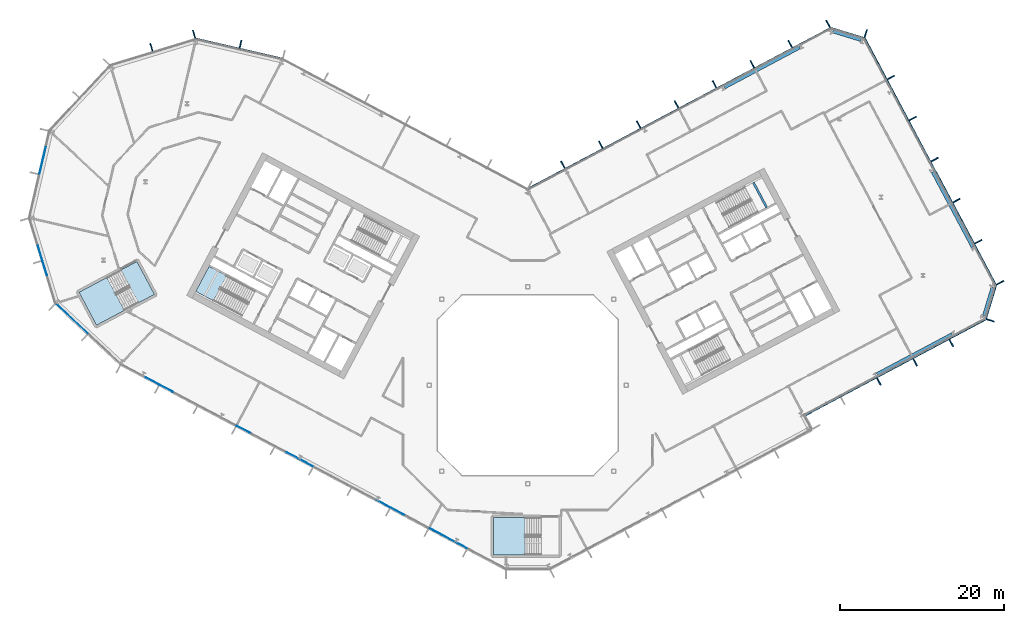
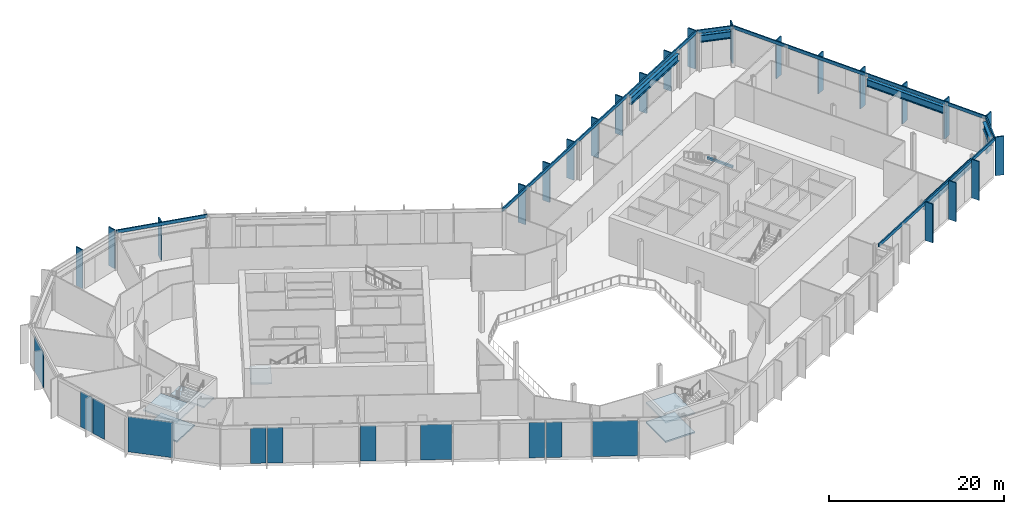
# One storey, part 10 of 31: 28 members, 11 plates, 6 beams, 6 slabs, 14 elements without a shape of their own.
"""IFC4 building model written with IfcOpenShell, lengths in metres."""

import ifcopenshell
import ifcopenshell.guid

model = None  # the IFC model being written
_history = None  # IfcOwnerHistory: only IFC2X3 demands one
_inside = {}  # id of a spatial element -> (the spatial element, [elements in it])
_under = {}  # id of a project, library or spatial element -> (it, [spatial elements below it])
_declared = {}  # id of a project -> (the project, [libraries it declares])
_typed = {}  # id of a type object -> (the type object, [elements of that type])
_made_of = {}  # id of a material, layer set ... -> (it, [elements and type objects made of it])


def new_model(schema):
    """Start an empty IFC model of exactly this schema.

    Asked for "IFC4X3", IfcOpenShell would pick the latest addendum, in which some entities
    have other attributes; the version numbers below select the first issue.
    IFC2X3 requires an IfcOwnerHistory on every rooted entity: one is made here for all.
    """
    global model, _history
    if schema == "IFC4X3":
        model = ifcopenshell.file(schema_version=(4, 3, 0, 0))
    else:
        model = ifcopenshell.file(schema=schema)
    _inside.clear()
    _under.clear()
    _declared.clear()
    _typed.clear()
    _made_of.clear()
    _history = None
    if model.schema == "IFC2X3":
        org = make("IfcOrganization", Name="unknown")
        user = make(
            "IfcPersonAndOrganization",
            ThePerson=make("IfcPerson", FamilyName="unknown"),
            TheOrganization=org,
        )
        app = make(
            "IfcApplication",
            ApplicationDeveloper=org,
            Version="unknown",
            ApplicationFullName="unknown",
            ApplicationIdentifier="unknown",
        )
        _history = make(
            "IfcOwnerHistory",
            OwningUser=user,
            OwningApplication=app,
            ChangeAction="ADDED",
            CreationDate=0,
        )
    return model


def make(cls, **values):
    """One entity of the class cls with the attributes given. An attribute that is None is left unset."""
    return model.create_entity(
        cls, **{name: value for name, value in values.items() if value is not None}
    )


def rooted(cls, **values):
    """An entity with a GlobalId (a new one), such as an element, a storey or a relation."""
    return make(cls, GlobalId=ifcopenshell.guid.new(), OwnerHistory=_history, **values)


def si_unit(unit_type, name, prefix=None):
    """IfcSIUnit, for example si_unit("LENGTHUNIT", "METRE", prefix="MILLI")."""
    return make("IfcSIUnit", UnitType=unit_type, Prefix=prefix, Name=name)


def assignment(units):
    """IfcUnitAssignment: the units of a project."""
    return None if units is None else make("IfcUnitAssignment", Units=units)


def point(xyz):
    """IfcCartesianPoint."""
    return None if xyz is None else make("IfcCartesianPoint", Coordinates=xyz)


def direction(xyz):
    """IfcDirection."""
    return None if xyz is None else make("IfcDirection", DirectionRatios=xyz)


def frame(location, z_axis=None, x_axis=None):
    """IfcAxis2Placement3D, a coordinate frame: its origin and axes. An axis left out is left unset."""
    return make(
        "IfcAxis2Placement3D",
        Location=point(location),
        Axis=direction(z_axis),
        RefDirection=direction(x_axis),
    )


def frame_2d(location, x_axis=None):
    """IfcAxis2Placement2D, a coordinate frame in the plane: its origin and x axis."""
    return make(
        "IfcAxis2Placement2D", Location=point(location), RefDirection=direction(x_axis)
    )


def origin():
    """The frame at (0, 0, 0) with its axes left unset."""
    return frame((0.0, 0.0, 0.0))


def origin_2d():
    """The frame at (0, 0) in the plane with its x axis left unset."""
    return frame_2d((0.0, 0.0))


def place(relative_to, where):
    """IfcLocalPlacement: puts the frame where relative to a parent placement (None: the world)."""
    return make(
        "IfcLocalPlacement", PlacementRelTo=relative_to, RelativePlacement=where
    )


def context(
    kind, dimensions, precision=None, world=None, true_north=None, identifier=None
):
    """IfcGeometricRepresentationContext, for example the 3D "Model" context."""
    return make(
        "IfcGeometricRepresentationContext",
        ContextIdentifier=identifier,
        ContextType=kind,
        CoordinateSpaceDimension=dimensions,
        Precision=precision,
        WorldCoordinateSystem=world,
        TrueNorth=true_north,
    )


def subcontext(parent, identifier, kind, view, scale=None):
    """IfcGeometricRepresentationSubContext, for example "Body" below "Model"."""
    return make(
        "IfcGeometricRepresentationSubContext",
        ContextIdentifier=identifier,
        ContextType=kind,
        ParentContext=parent,
        TargetScale=scale,
        TargetView=view,
    )


def project(units=None, contexts=None):
    """IfcProject with its units and contexts."""
    return rooted(
        "IfcProject",
        Name="project",
        RepresentationContexts=contexts,
        UnitsInContext=assignment(units),
    )


def spatial(cls, under=None, at=None, **own):
    """A site, building, storey or space (cls), placed at a placement, below another one or the project."""
    s = rooted(cls, ObjectPlacement=at, **own)
    if under is not None:
        _under.setdefault(under.id(), (under, []))[1].append(s)
    return s


def polyline(points):
    """IfcPolyline through the points."""
    return make("IfcPolyline", Points=[point(p) for p in points])


def profile(cls, at=None, kind="AREA", **sizes):
    """A parametric profile (cls). Its sizes go by their IFC names, for example OverallWidth=200.0."""
    return make(cls, ProfileType=kind, Position=at, **sizes)


def rectangle(**sizes):
    """IfcRectangleProfileDef."""
    return profile("IfcRectangleProfileDef", **sizes)


def i_section(**sizes):
    """IfcIShapeProfileDef."""
    return profile("IfcIShapeProfileDef", **sizes)


def outline(outer, holes=None, kind="AREA"):
    """IfcArbitraryClosedProfileDef: a profile drawn as a closed curve; with holes, ...WithVoids."""
    if holes is None:
        return make("IfcArbitraryClosedProfileDef", ProfileType=kind, OuterCurve=outer)
    return make(
        "IfcArbitraryProfileDefWithVoids",
        ProfileType=kind,
        OuterCurve=outer,
        InnerCurves=holes,
    )


def extrude(swept, where, along, depth):
    """IfcExtrudedAreaSolid: the profile swept, set in the frame where, extruded along a direction by depth."""
    return make(
        "IfcExtrudedAreaSolid",
        SweptArea=swept,
        Position=where,
        ExtrudedDirection=direction(along),
        Depth=depth,
    )


def shape(context_of_items, identifier, shape_type, items):
    """IfcShapeRepresentation: the items that make up one representation, for example the "Body"."""
    return make(
        "IfcShapeRepresentation",
        ContextOfItems=context_of_items,
        RepresentationIdentifier=identifier,
        RepresentationType=shape_type,
        Items=items,
    )


def material(Name=None, Category=None):
    """IfcMaterial."""
    return make("IfcMaterial", Name=Name, Category=Category)


def layer(
    of_material, thickness, ventilated=None, Name=None, Category=None, Priority=None
):
    """IfcMaterialLayer: one layer of a wall or slab, of a material (None: an air gap)."""
    return make(
        "IfcMaterialLayer",
        Material=of_material,
        LayerThickness=thickness,
        IsVentilated=ventilated,
        Name=Name,
        Category=Category,
        Priority=Priority,
    )


def layer_set(layers, Name=None):
    """IfcMaterialLayerSet."""
    return make("IfcMaterialLayerSet", MaterialLayers=layers, LayerSetName=Name)


def material_profile(
    of_material, cross_section, Name=None, Category=None, Priority=None
):
    """IfcMaterialProfile: a cross section and its material."""
    return make(
        "IfcMaterialProfile",
        Name=Name,
        Material=of_material,
        Profile=cross_section,
        Priority=Priority,
        Category=Category,
    )


def profile_set(profiles, Name=None, composite=None):
    """IfcMaterialProfileSet."""
    return make(
        "IfcMaterialProfileSet",
        Name=Name,
        MaterialProfiles=profiles,
        CompositeProfile=composite,
    )


def made_of(thing, what):
    """Note that an element or type object is made of a material, layer set ...; save() writes the relation."""
    if what is not None:
        _made_of.setdefault(what.id(), (what, []))[1].append(thing)
    return thing


def type_object(cls, material=None, **own):
    """A type object (cls), such as IfcWallType, which elements share."""
    return made_of(rooted(cls, **own), material)


def element(
    cls,
    number,
    at=None,
    inside=None,
    cuts=None,
    type_object=None,
    material=None,
    context=None,
    identifier="Body",
    shape_type=None,
    held_by="IfcProductDefinitionShape",
    body=None,
    shapes=None,
    **own,
):
    """One element of the class cls, such as IfcWall. Its Tag is "e" and its number.

    at: its placement. inside: the storey or other place that contains it. cuts: it is an
    opening in that element (IfcRelVoidsElement). A single representation is given by context,
    identifier, shape_type and body (its items); several are given by shapes. held_by: the class
    of the entity that holds the representations. save() writes the other relations.
    """
    e = rooted(cls, Tag="e%d" % number, ObjectPlacement=at, **own)
    if body is not None:
        shapes = [shape(context, identifier, shape_type, body)]
    if shapes is not None:
        e.Representation = make(held_by, Representations=shapes)
    if inside is not None:
        _inside.setdefault(inside.id(), (inside, []))[1].append(e)
    if cuts is not None:
        rooted(
            "IfcRelVoidsElement", RelatingBuildingElement=cuts, RelatedOpeningElement=e
        )
    if type_object is not None:
        _typed.setdefault(type_object.id(), (type_object, []))[1].append(e)
    return made_of(e, material)


def aggregate(whole, parts):
    """IfcRelAggregates: a whole, such as a stair, and the parts it consists of."""
    return rooted("IfcRelAggregates", RelatingObject=whole, RelatedObjects=parts)


def save(model, path):
    """Write the relations noted so far, then the file.

    IfcRelAggregates (storeys below a building ...), IfcRelContainedInSpatialStructure (elements
    in a storey), IfcRelDefinesByType, IfcRelAssociatesMaterial and IfcRelDeclares: one each for
    every whole, place, type object, material and project.
    """
    for whole, parts in _under.values():
        aggregate(whole, parts)
    for where, things in _inside.values():
        rooted(
            "IfcRelContainedInSpatialStructure",
            RelatedElements=things,
            RelatingStructure=where,
        )
    for kind, things in _typed.values():
        rooted("IfcRelDefinesByType", RelatedObjects=things, RelatingType=kind)
    for what, things in _made_of.values():
        rooted("IfcRelAssociatesMaterial", RelatedObjects=things, RelatingMaterial=what)
    for by, libraries in _declared.values():
        rooted("IfcRelDeclares", RelatingContext=by, RelatedDefinitions=libraries)
    model.write(path)


model = new_model("IFC4")

# Units and contexts
model_context = context("Model", 3, precision=1e-05, world=origin(), true_north=direction((0.0, 1.0)))
body_context = subcontext(model_context, "Body", "Model", "MODEL_VIEW")
ifc_project = project(units=[si_unit("LENGTHUNIT", "METRE"), si_unit("AREAUNIT", "SQUARE_METRE"), si_unit("VOLUMEUNIT", "CUBIC_METRE"), si_unit("PLANEANGLEUNIT", "RADIAN"), si_unit("MASSUNIT", "GRAM", prefix="KILO")], contexts=[model_context])

# Site, building, storey
site_placement = place(None, origin())
site = spatial("IfcSite", under=ifc_project, at=site_placement, CompositionType="ELEMENT")
building_placement = place(site_placement, origin())
building = spatial("IfcBuilding", under=site, at=building_placement, Name="Cormorant Relay Tower", CompositionType="ELEMENT")
storey_placement = place(building_placement, frame((0.0, 0.0, 178.199951171875)))
storey = spatial("IfcBuildingStorey", under=building, at=storey_placement, Name="L38", CompositionType="ELEMENT", Elevation=178.199951171875)

# Curtain wall, members
ifc_material_1 = material(Name="Aluminium 6063-T6 anodised bronze", Category="aluminium")
ifc_layer_1 = layer(ifc_material_1, 0.199951171875)
ifc_layer_set_1 = layer_set([ifc_layer_1], Name="CW1 unitised bronze curtain wall with vertical fins")
curtain_wall_type = type_object("IfcCurtainWallType", Name="CW1 unitised bronze curtain wall with vertical fins", PredefinedType="NOTDEFINED", material=ifc_layer_set_1)
curtain_wall_1_placement = place(storey_placement, origin())
curtain_wall_1 = element("IfcCurtainWall", 1, at=curtain_wall_1_placement, inside=storey, type_object=curtain_wall_type, Name="CW1 curtain wall 4", PredefinedType="NOTDEFINED")
ifc_material_2 = material(Name="Aluminium 6063-T6 anodised bronze", Category="aluminium")
ifc_material_profile_1 = material_profile(ifc_material_2, rectangle(XDim=0.14990234375, YDim=1.0, at=origin_2d()), Name="AL 150x1000")
ifc_profile_set_1 = profile_set([ifc_material_profile_1], Name="Aluminium 6063-T6 anodised bronze")
member_type_1 = type_object("IfcMemberType", Name="CW1 bronze fin mullion 150 x 1000", PredefinedType="MULLION", material=ifc_profile_set_1)
member_1_placement = place(storey_placement, frame((42.800537109375, 0.44580078125, 0.0), z_axis=(0.0, 0.0, 1.0), x_axis=(0.882947592859, 0.469471562786, 0.0)))
member_1 = element("IfcMember", 2, at=member_1_placement, type_object=member_type_1, Name="CW1 fin 4.3", PredefinedType="MULLION", context=body_context, shape_type="SweptSolid", body=[
    extrude(rectangle(XDim=0.14990234375, YDim=1.0, at=origin_2d()), origin(), (0.0, 0.0, 1.0), 5.400146484375),
])
member_2_placement = place(storey_placement, frame((47.21533203125, 2.793212890625, 0.0), z_axis=(0.0, 0.0, 1.0), x_axis=(0.882947592859, 0.469471562786, 0.0)))
member_2 = element("IfcMember", 3, at=member_2_placement, type_object=member_type_1, Name="CW1 fin 4.4", PredefinedType="MULLION", context=body_context, shape_type="SweptSolid", body=[
    extrude(rectangle(XDim=0.14990234375, YDim=1.0, at=origin_2d()), origin(), (0.0, 0.0, 1.0), 5.400146484375),
])
member_3_placement = place(storey_placement, frame((51.630126953125, 5.140625, 0.0), z_axis=(0.0, 0.0, 1.0), x_axis=(0.882947592859, 0.469471562786, 0.0)))
member_3 = element("IfcMember", 4, at=member_3_placement, type_object=member_type_1, Name="CW1 fin 4.5", PredefinedType="MULLION", context=body_context, shape_type="SweptSolid", body=[
    extrude(rectangle(XDim=0.14990234375, YDim=1.0, at=origin_2d()), origin(), (0.0, 0.0, 1.0), 5.400146484375),
])

# Curtain wall, member
curtain_wall_2_placement = place(storey_placement, origin())
curtain_wall_2 = element("IfcCurtainWall", 5, at=curtain_wall_2_placement, inside=storey, type_object=curtain_wall_type, Name="CW1 curtain wall 5", PredefinedType="NOTDEFINED")
member_4_placement = place(storey_placement, frame((56.385498046875, 7.9013671875, 0.0), z_axis=(0.0, 0.0, 1.0), x_axis=(0.292371704723, 0.956304755963, 0.0)))
member_4 = element("IfcMember", 6, at=member_4_placement, type_object=member_type_1, Name="CW1 fin 5.1", PredefinedType="MULLION", context=body_context, shape_type="SweptSolid", body=[
    extrude(rectangle(XDim=0.14990234375, YDim=1.0, at=origin_2d()), origin(), (0.0, 0.0, 1.0), 5.400146484375),
])

# Curtain wall, members
curtain_wall_3_placement = place(storey_placement, origin())
curtain_wall_3 = element("IfcCurtainWall", 7, at=curtain_wall_3_placement, inside=storey, type_object=curtain_wall_type, Name="CW1 curtain wall 6", PredefinedType="NOTDEFINED")
member_5_placement = place(storey_placement, frame((57.57470703125, 12.491943359375, 0.0), z_axis=(0.0, 0.0, 1.0), x_axis=(-0.469471562786, 0.882947592859, 0.0)))
member_5 = element("IfcMember", 8, at=member_5_placement, type_object=member_type_1, Name="CW1 fin 6.1", PredefinedType="MULLION", context=body_context, shape_type="SweptSolid", body=[
    extrude(rectangle(XDim=0.14990234375, YDim=1.0, at=origin_2d()), origin(), (0.0, 0.0, 1.0), 5.400146484375),
])
member_6_placement = place(storey_placement, frame((54.914306640625, 17.4951171875, 0.0), z_axis=(0.0, 0.0, 1.0), x_axis=(-0.469471562786, 0.882947592859, 0.0)))
member_6 = element("IfcMember", 9, at=member_6_placement, type_object=member_type_1, Name="CW1 fin 6.2", PredefinedType="MULLION", context=body_context, shape_type="SweptSolid", body=[
    extrude(rectangle(XDim=0.14990234375, YDim=1.0, at=origin_2d()), origin(), (0.0, 0.0, 1.0), 5.400146484375),
])
member_7_placement = place(storey_placement, frame((52.25390625, 22.49853515625, 0.0), z_axis=(0.0, 0.0, 1.0), x_axis=(-0.469471562786, 0.882947592859, 0.0)))
member_7 = element("IfcMember", 10, at=member_7_placement, type_object=member_type_1, Name="CW1 fin 6.3", PredefinedType="MULLION", context=body_context, shape_type="SweptSolid", body=[
    extrude(rectangle(XDim=0.14990234375, YDim=1.0, at=origin_2d()), origin(), (0.0, 0.0, 1.0), 5.400146484375),
])
member_8_placement = place(storey_placement, frame((49.59375, 27.501953125, 0.0), z_axis=(0.0, 0.0, 1.0), x_axis=(-0.469471562786, 0.882947592859, 0.0)))
member_8 = element("IfcMember", 11, at=member_8_placement, type_object=member_type_1, Name="CW1 fin 6.4", PredefinedType="MULLION", context=body_context, shape_type="SweptSolid", body=[
    extrude(rectangle(XDim=0.14990234375, YDim=1.0, at=origin_2d()), origin(), (0.0, 0.0, 1.0), 5.400146484375),
])
member_9_placement = place(storey_placement, frame((46.933349609375, 32.50537109375, 0.0), z_axis=(0.0, 0.0, 1.0), x_axis=(-0.469471562786, 0.882947592859, 0.0)))
member_9 = element("IfcMember", 12, at=member_9_placement, type_object=member_type_1, Name="CW1 fin 6.5", PredefinedType="MULLION", context=body_context, shape_type="SweptSolid", body=[
    extrude(rectangle(XDim=0.14990234375, YDim=1.0, at=origin_2d()), origin(), (0.0, 0.0, 1.0), 5.400146484375),
])
member_10_placement = place(storey_placement, frame((44.27294921875, 37.5087890625, 0.0), z_axis=(0.0, 0.0, 1.0), x_axis=(-0.469471562786, 0.882947592859, 0.0)))
member_10 = element("IfcMember", 13, at=member_10_placement, type_object=member_type_1, Name="CW1 fin 6.6", PredefinedType="MULLION", context=body_context, shape_type="SweptSolid", body=[
    extrude(rectangle(XDim=0.14990234375, YDim=1.0, at=origin_2d()), origin(), (0.0, 0.0, 1.0), 5.400146484375),
])

# Curtain wall, member
curtain_wall_4_placement = place(storey_placement, origin())
curtain_wall_4 = element("IfcCurtainWall", 14, at=curtain_wall_4_placement, inside=storey, type_object=curtain_wall_type, Name="CW1 curtain wall 7", PredefinedType="NOTDEFINED")
member_11_placement = place(storey_placement, frame((41.19921875, 42.852783203125, 0.0), z_axis=(0.0, 0.0, 1.0), x_axis=(-0.956304755963, 0.292371704723, 0.0)))
member_11 = element("IfcMember", 15, at=member_11_placement, type_object=member_type_1, Name="CW1 fin 7.1", PredefinedType="MULLION", context=body_context, shape_type="SweptSolid", body=[
    extrude(rectangle(XDim=0.14990234375, YDim=1.0, at=origin_2d()), origin(), (0.0, 0.0, 1.0), 5.400146484375),
])

# Curtain wall, members
curtain_wall_5_placement = place(storey_placement, origin())
curtain_wall_5 = element("IfcCurtainWall", 16, at=curtain_wall_5_placement, inside=storey, type_object=curtain_wall_type, Name="CW1 curtain wall 8", PredefinedType="NOTDEFINED")
member_12_placement = place(storey_placement, frame((36.608642578125, 44.0419921875, 0.0), z_axis=(0.0, 0.0, 1.0), x_axis=(-0.882947592859, -0.469471562786, 0.0)))
member_12 = element("IfcMember", 17, at=member_12_placement, type_object=member_type_1, Name="CW1 fin 8.1", PredefinedType="MULLION", context=body_context, shape_type="SweptSolid", body=[
    extrude(rectangle(XDim=0.14990234375, YDim=1.0, at=origin_2d()), origin(), (0.0, 0.0, 1.0), 5.400146484375),
])
member_13_placement = place(storey_placement, frame((31.991455078125, 41.5869140625, 0.0), z_axis=(0.0, 0.0, 1.0), x_axis=(-0.882947592859, -0.469471562786, 0.0)))
member_13 = element("IfcMember", 18, at=member_13_placement, type_object=member_type_1, Name="CW1 fin 8.2", PredefinedType="MULLION", context=body_context, shape_type="SweptSolid", body=[
    extrude(rectangle(XDim=0.14990234375, YDim=1.0, at=origin_2d()), origin(), (0.0, 0.0, 1.0), 5.400146484375),
])
member_14_placement = place(storey_placement, frame((27.37451171875, 39.132080078125, 0.0), z_axis=(0.0, 0.0, 1.0), x_axis=(-0.882947592859, -0.469471562786, 0.0)))
member_14 = element("IfcMember", 19, at=member_14_placement, type_object=member_type_1, Name="CW1 fin 8.3", PredefinedType="MULLION", context=body_context, shape_type="SweptSolid", body=[
    extrude(rectangle(XDim=0.14990234375, YDim=1.0, at=origin_2d()), origin(), (0.0, 0.0, 1.0), 5.400146484375),
])
member_15_placement = place(storey_placement, frame((22.757080078125, 36.677001953125, 0.0), z_axis=(0.0, 0.0, 1.0), x_axis=(-0.882947592859, -0.469471562786, 0.0)))
member_15 = element("IfcMember", 20, at=member_15_placement, type_object=member_type_1, Name="CW1 fin 8.4", PredefinedType="MULLION", context=body_context, shape_type="SweptSolid", body=[
    extrude(rectangle(XDim=0.14990234375, YDim=1.0, at=origin_2d()), origin(), (0.0, 0.0, 1.0), 5.400146484375),
])
member_16_placement = place(storey_placement, frame((18.139892578125, 34.221923828125, 0.0), z_axis=(0.0, 0.0, 1.0), x_axis=(-0.882947592859, -0.469471562786, 0.0)))
member_16 = element("IfcMember", 21, at=member_16_placement, type_object=member_type_1, Name="CW1 fin 8.5", PredefinedType="MULLION", context=body_context, shape_type="SweptSolid", body=[
    extrude(rectangle(XDim=0.14990234375, YDim=1.0, at=origin_2d()), origin(), (0.0, 0.0, 1.0), 5.400146484375),
])
member_17_placement = place(storey_placement, frame((13.52294921875, 31.76708984375, 0.0), z_axis=(0.0, 0.0, 1.0), x_axis=(-0.882947592859, -0.469471562786, 0.0)))
member_17 = element("IfcMember", 22, at=member_17_placement, type_object=member_type_1, Name="CW1 fin 8.6", PredefinedType="MULLION", context=body_context, shape_type="SweptSolid", body=[
    extrude(rectangle(XDim=0.14990234375, YDim=1.0, at=origin_2d()), origin(), (0.0, 0.0, 1.0), 5.400146484375),
])
member_18_placement = place(storey_placement, frame((8.90576171875, 29.31201171875, 0.0), z_axis=(0.0, 0.0, 1.0), x_axis=(-0.882947592859, -0.469471562786, 0.0)))
member_18 = element("IfcMember", 23, at=member_18_placement, type_object=member_type_1, Name="CW1 fin 8.7", PredefinedType="MULLION", context=body_context, shape_type="SweptSolid", body=[
    extrude(rectangle(XDim=0.14990234375, YDim=1.0, at=origin_2d()), origin(), (0.0, 0.0, 1.0), 5.400146484375),
])
member_19_placement = place(storey_placement, frame((4.28857421875, 26.85693359375, 0.0), z_axis=(0.0, 0.0, 1.0), x_axis=(-0.882947592859, -0.469471562786, 0.0)))
member_19 = element("IfcMember", 24, at=member_19_placement, type_object=member_type_1, Name="CW1 fin 8.8", PredefinedType="MULLION", context=body_context, shape_type="SweptSolid", body=[
    extrude(rectangle(XDim=0.14990234375, YDim=1.0, at=origin_2d()), origin(), (0.0, 0.0, 1.0), 5.400146484375),
])

# Curtain wall, member
curtain_wall_6_placement = place(storey_placement, origin())
curtain_wall_6 = element("IfcCurtainWall", 25, at=curtain_wall_6_placement, inside=storey, type_object=curtain_wall_type, Name="CW1 curtain wall 10", PredefinedType="NOTDEFINED")
member_20_placement = place(storey_placement, frame((-35.01220703125, 41.57275390625, 0.0), z_axis=(0.0, 0.0, 1.0), x_axis=(-0.974370064785, 0.224951054344, 0.0)))
member_20 = element("IfcMember", 26, at=member_20_placement, type_object=member_type_1, Name="CW1 fin 10.2", PredefinedType="MULLION", context=body_context, shape_type="SweptSolid", body=[
    extrude(rectangle(XDim=0.14990234375, YDim=1.0, at=origin_2d()), origin(), (0.0, 0.0, 1.0), 5.400146484375),
])

# Curtain wall, members
curtain_wall_7_placement = place(storey_placement, origin())
curtain_wall_7 = element("IfcCurtainWall", 27, at=curtain_wall_7_placement, inside=storey, type_object=curtain_wall_type, Name="CW1 curtain wall 11", PredefinedType="NOTDEFINED")
member_21_placement = place(storey_placement, frame((-40.670166015625, 42.78271484375, 0.0), z_axis=(0.0, 0.0, 1.0), x_axis=(-0.956304755963, -0.292371704723, 0.0)))
member_21 = element("IfcMember", 28, at=member_21_placement, type_object=member_type_1, Name="CW1 fin 11.1", PredefinedType="MULLION", context=body_context, shape_type="SweptSolid", body=[
    extrude(rectangle(XDim=0.14990234375, YDim=1.0, at=origin_2d()), origin(), (0.0, 0.0, 1.0), 5.400146484375),
])
member_22_placement = place(storey_placement, frame((-45.867919921875, 41.193603515625, 0.0), z_axis=(0.0, 0.0, 1.0), x_axis=(-0.956304755963, -0.292371704723, 0.0)))
member_22 = element("IfcMember", 29, at=member_22_placement, type_object=member_type_1, Name="CW1 fin 11.2", PredefinedType="MULLION", context=body_context, shape_type="SweptSolid", body=[
    extrude(rectangle(XDim=0.14990234375, YDim=1.0, at=origin_2d()), origin(), (0.0, 0.0, 1.0), 5.400146484375),
])
aggregate(curtain_wall_7, [member_21, member_22])

# Member
ifc_material_3 = material(Name="Aluminium 6063-T6 anodised bronze", Category="aluminium")
ifc_material_profile_2 = material_profile(ifc_material_3, rectangle(XDim=0.159912109375, YDim=0.449951171875, at=origin_2d()), Name="AL 160x450")
ifc_profile_set_2 = profile_set([ifc_material_profile_2], Name="Aluminium 6063-T6 anodised bronze")
member_type_2 = type_object("IfcMemberType", Name="CW1 bronze transom 160 x 450", PredefinedType="USERDEFINED", material=ifc_profile_set_2)
member_23_placement = place(storey_placement, frame((33.69873046875, -3.73681640625, 5.175048828125), z_axis=(0.88294749795, 0.469471741284, 0.0), x_axis=(-0.469471741284, 0.88294749795, 0.0)))
member_23 = element("IfcMember", 30, at=member_23_placement, type_object=member_type_2, Name="CW1 transom 4", ObjectType="TRANSOM", PredefinedType="USERDEFINED", context=body_context, shape_type="SweptSolid", body=[
    extrude(rectangle(XDim=0.159912109375, YDim=0.449951171875, at=origin_2d()), origin(), (0.0, 0.0, 1.0), 25.0),
])

aggregate(curtain_wall_1, [member_1, member_2, member_3, member_23])

member_24_placement = place(storey_placement, frame((55.830810546875, 8.07080078125, 5.175048828125), z_axis=(0.292374957137, 0.956303761594, 0.0), x_axis=(-0.956303761594, 0.292374957137, 0.0)))
member_24 = element("IfcMember", 31, at=member_24_placement, type_object=member_type_2, Name="CW1 transom 5", ObjectType="TRANSOM", PredefinedType="USERDEFINED", context=body_context, shape_type="SweptSolid", body=[
    extrude(rectangle(XDim=0.159912109375, YDim=0.449951171875, at=origin_2d()), origin(), (0.0, 0.0, 1.0), 4.24267578125),
])

aggregate(curtain_wall_2, [member_4, member_24])

member_25_placement = place(storey_placement, frame((57.0625, 12.219482421875, 5.175048828125), z_axis=(-0.469468277635, 0.882949339597, 0.0), x_axis=(-0.882949339597, -0.469468277635, 0.0)))
member_25 = element("IfcMember", 32, at=member_25_placement, type_object=member_type_2, Name="CW1 transom 6", ObjectType="TRANSOM", PredefinedType="USERDEFINED", context=body_context, shape_type="SweptSolid", body=[
    extrude(rectangle(XDim=0.159912109375, YDim=0.449951171875, at=origin_2d()), origin(), (0.0, 0.0, 1.0), 34.0),
])

aggregate(curtain_wall_3, [member_5, member_6, member_7, member_8, member_9, member_10, member_25])

member_26_placement = place(storey_placement, frame((41.02978515625, 42.298095703125, 5.175048828125), z_axis=(-0.956303761594, 0.292374957137, 0.0), x_axis=(-0.292374957137, -0.956303761594, 0.0)))
member_26 = element("IfcMember", 33, at=member_26_placement, type_object=member_type_2, Name="CW1 transom 7", ObjectType="TRANSOM", PredefinedType="USERDEFINED", context=body_context, shape_type="SweptSolid", body=[
    extrude(rectangle(XDim=0.159912109375, YDim=0.449951171875, at=origin_2d()), origin(), (0.0, 0.0, 1.0), 4.24267578125),
])

aggregate(curtain_wall_4, [member_11, member_26])

member_27_placement = place(storey_placement, frame((36.881103515625, 43.52978515625, 5.175048828125), z_axis=(-0.88294882701, -0.469469241677, 0.0), x_axis=(0.469469241677, -0.88294882701, 0.0)))
member_27 = element("IfcMember", 34, at=member_27_placement, type_object=member_type_2, Name="CW1 transom 8", ObjectType="TRANSOM", PredefinedType="USERDEFINED", context=body_context, shape_type="SweptSolid", body=[
    extrude(rectangle(XDim=0.159912109375, YDim=0.449951171875, at=origin_2d()), origin(), (0.0, 0.0, 1.0), 41.834228515625),
])

aggregate(curtain_wall_5, [member_12, member_13, member_14, member_15, member_16, member_17, member_18, member_19, member_27])

member_28_placement = place(storey_placement, frame((-29.8466796875, 39.784912109375, 5.175048828125), z_axis=(-0.974365070969, 0.224972683844, 0.0), x_axis=(-0.224972683844, -0.974365070969, 0.0)))
member_28 = element("IfcMember", 35, at=member_28_placement, type_object=member_type_2, Name="CW1 transom 10", ObjectType="TRANSOM", PredefinedType="USERDEFINED", context=body_context, shape_type="SweptSolid", body=[
    extrude(rectangle(XDim=0.159912109375, YDim=0.449951171875, at=origin_2d()), origin(), (0.0, 0.0, 1.0), 10.870361328125),
])

aggregate(curtain_wall_6, [member_20, member_28])

# Beams
ifc_material_4 = material(Name="Steel ASTM A992 (Fy 345 MPa)", Category="steel")
ifc_material_profile_3 = material_profile(ifc_material_4, i_section(OverallWidth=0.4013671875, OverallDepth=1.000732421875, WebThickness=0.01904296875, FlangeThickness=0.0361328125, FilletRadius=0.02978515625, at=origin_2d()), Name="W1000x371")
ifc_profile_set_3 = profile_set([ifc_material_profile_3], Name="Steel ASTM A992 (Fy 345 MPa)")
beam_type_1 = type_object("IfcBeamType", Name="Spandrel W1000x371", PredefinedType="SPANDREL", material=ifc_profile_set_3)
beam_1_placement = place(storey_placement, frame((42.5595703125, 1.337890625, 4.44970703125), z_axis=(0.882955922346, 0.469455896963, 0.0), x_axis=(-0.469455896963, 0.882955922346, 0.0)))
element("IfcBeam", 36, at=beam_1_placement, inside=storey, type_object=beam_type_1, Name="Spandrel beam L38-004", PredefinedType="SPANDREL", context=body_context, shape_type="SweptSolid", body=[
    extrude(i_section(OverallWidth=0.4013671875, OverallDepth=1.000732421875, WebThickness=0.01904296875, FlangeThickness=0.0361328125, FilletRadius=0.02978515625, at=origin_2d()), origin(), (0.0, 0.0, 1.0), 10.388427734375),
])
beam_2_placement = place(storey_placement, frame((55.62548828125, 8.495849609375, 4.44970703125), z_axis=(0.29237248799, 0.956304516494, 0.0), x_axis=(-0.956304516494, 0.29237248799, 0.0)))
element("IfcBeam", 37, at=beam_2_placement, inside=storey, type_object=beam_type_1, Name="Spandrel beam L38-005", PredefinedType="SPANDREL", context=body_context, shape_type="SweptSolid", body=[
    extrude(i_section(OverallWidth=0.4013671875, OverallDepth=1.000732421875, WebThickness=0.01904296875, FlangeThickness=0.0361328125, FilletRadius=0.02978515625, at=origin_2d()), origin(), (0.0, 0.0, 1.0), 3.585693359375),
])
beam_3_placement = place(storey_placement, frame((54.24169921875, 16.841796875, 4.44970703125), z_axis=(-0.469474218299, 0.882946180893, 0.0), x_axis=(-0.882946180893, -0.469474218299, 0.0)))
element("IfcBeam", 38, at=beam_3_placement, inside=storey, type_object=beam_type_1, Name="Spandrel beam L38-006", PredefinedType="SPANDREL", context=body_context, shape_type="SweptSolid", body=[
    extrude(i_section(OverallWidth=0.4013671875, OverallDepth=1.000732421875, WebThickness=0.01904296875, FlangeThickness=0.0361328125, FilletRadius=0.02978515625, at=origin_2d()), origin(), (0.0, 0.0, 1.0), 10.388671875),
])
beam_4_placement = place(storey_placement, frame((40.605224609375, 42.0927734375, 4.44970703125), z_axis=(-0.956311914022, 0.292348290742, 0.0), x_axis=(-0.292348290742, -0.956311914022, 0.0)))
element("IfcBeam", 39, at=beam_4_placement, inside=storey, type_object=beam_type_1, Name="Spandrel beam L38-007", PredefinedType="SPANDREL", context=body_context, shape_type="SweptSolid", body=[
    extrude(i_section(OverallWidth=0.4013671875, OverallDepth=1.000732421875, WebThickness=0.01904296875, FlangeThickness=0.0361328125, FilletRadius=0.02978515625, at=origin_2d()), origin(), (0.0, 0.0, 1.0), 3.585205078125),
])
beam_5_placement = place(storey_placement, frame((33.141357421875, 41.17822265625, 4.44970703125), z_axis=(-0.882955922346, -0.469455896963, 0.0), x_axis=(0.469455896963, -0.882955922346, 0.0)))
element("IfcBeam", 40, at=beam_5_placement, inside=storey, type_object=beam_type_1, Name="Spandrel beam L38-008", PredefinedType="SPANDREL", context=body_context, shape_type="SweptSolid", body=[
    extrude(i_section(OverallWidth=0.4013671875, OverallDepth=1.000732421875, WebThickness=0.01904296875, FlangeThickness=0.0361328125, FilletRadius=0.02978515625, at=origin_2d()), origin(), (0.0, 0.0, 1.0), 10.388427734375),
])
ifc_material_5 = material(Name="Concrete 50 MPa", Category="concrete")
ifc_material_profile_4 = material_profile(ifc_material_5, rectangle(XDim=0.25, YDim=0.300048828125, at=origin_2d()), Name="RC 250x300")
ifc_profile_set_4 = profile_set([ifc_material_profile_4], Name="Concrete 50 MPa")
beam_type_2 = type_object("IfcBeamType", Name="Stair landing ledge beam 250x300", PredefinedType="BEAM", material=ifc_profile_set_4)
beam_6_placement = place(storey_placement, frame((29.1259765625, 21.6591796875, 2.35009765625), z_axis=(-0.469493252696, 0.882936059788, 0.0), x_axis=(-0.882936059788, -0.469493252696, 0.0)))
element("IfcBeam", 41, at=beam_6_placement, inside=storey, type_object=beam_type_2, Name="B2 landing ledge beam", PredefinedType="BEAM", context=body_context, shape_type="SweptSolid", body=[
    extrude(rectangle(XDim=0.25, YDim=0.300048828125, at=origin_2d()), origin(), (0.0, 0.0, 1.0), 3.44970703125),
])

# Curtain wall, plates
curtain_wall_8_placement = place(storey_placement, origin())
curtain_wall_8 = element("IfcCurtainWall", 42, at=curtain_wall_8_placement, inside=storey, type_object=curtain_wall_type, Name="CW1 curtain wall 14", PredefinedType="NOTDEFINED")
ifc_material_6 = material(Name="Tinted laminated glass", Category="glass")
ifc_layer_2 = layer(ifc_material_6, 0.0400390625)
ifc_layer_set_2 = layer_set([ifc_layer_2], Name="CW1 tinted vision panel 1800 module")
plate_type_1 = type_object("IfcPlateType", Name="CW1 tinted vision panel 1800 module", PredefinedType="CURTAIN_PANEL", material=ifc_layer_set_2)
plate_1_placement = place(storey_placement, frame((-59.434814453125, 16.122314453125, 0.0), z_axis=(0.0, 0.0, 1.0), x_axis=(0.292371704723, -0.956304755963, 0.0)))
plate_1 = element("IfcPlate", 43, at=plate_1_placement, type_object=plate_type_1, Name="CW1 panel V01", PredefinedType="CURTAIN_PANEL", context=body_context, shape_type="SweptSolid", body=[
    extrude(rectangle(XDim=1.800048828125, YDim=0.0400390625, at=origin_2d()), origin(), (0.0, 0.0, 1.0), 4.949951171875),
])
plate_2_placement = place(storey_placement, frame((-58.86474609375, 14.25732421875, 0.0), z_axis=(0.0, 0.0, 1.0), x_axis=(0.292371704723, -0.956304755963, 0.0)))
plate_2 = element("IfcPlate", 44, at=plate_2_placement, type_object=plate_type_1, Name="CW1 panel V02", PredefinedType="CURTAIN_PANEL", context=body_context, shape_type="SweptSolid", body=[
    extrude(rectangle(XDim=1.800048828125, YDim=0.0400390625, at=origin_2d()), origin(), (0.0, 0.0, 1.0), 4.949951171875),
])
aggregate(curtain_wall_8, [plate_1, plate_2])

curtain_wall_9_placement = place(storey_placement, origin())
curtain_wall_9 = element("IfcCurtainWall", 45, at=curtain_wall_9_placement, inside=storey, type_object=curtain_wall_type, Name="CW1 curtain wall 16", PredefinedType="NOTDEFINED")
plate_3_placement = place(storey_placement, frame((-45.767578125, 0.5283203125, 0.0), z_axis=(0.0, 0.0, 1.0), x_axis=(0.882947592859, -0.469471562786, 0.0)))
plate_3 = element("IfcPlate", 46, at=plate_3_placement, type_object=plate_type_1, Name="CW1 panel V01", PredefinedType="CURTAIN_PANEL", context=body_context, shape_type="SweptSolid", body=[
    extrude(rectangle(XDim=1.800048828125, YDim=0.0400390625, at=origin_2d()), origin(), (0.0, 0.0, 1.0), 4.949951171875),
])
plate_4_placement = place(storey_placement, frame((-44.0458984375, -0.38720703125, 0.0), z_axis=(0.0, 0.0, 1.0), x_axis=(0.882947592859, -0.469471562786, 0.0)))
plate_4 = element("IfcPlate", 47, at=plate_4_placement, type_object=plate_type_1, Name="CW1 panel V02", PredefinedType="CURTAIN_PANEL", context=body_context, shape_type="SweptSolid", body=[
    extrude(rectangle(XDim=1.800048828125, YDim=0.0400390625, at=origin_2d()), origin(), (0.0, 0.0, 1.0), 4.949951171875),
])
plate_5_placement = place(storey_placement, frame((-34.6572265625, -5.37890625, 0.0), z_axis=(0.0, 0.0, 1.0), x_axis=(0.882947592859, -0.469471562786, 0.0)))
plate_5 = element("IfcPlate", 48, at=plate_5_placement, type_object=plate_type_1, Name="CW1 panel V04", PredefinedType="CURTAIN_PANEL", context=body_context, shape_type="SweptSolid", body=[
    extrude(rectangle(XDim=1.800048828125, YDim=0.0400390625, at=origin_2d()), origin(), (0.0, 0.0, 1.0), 4.949951171875),
])
plate_6_placement = place(storey_placement, frame((-17.601806640625, -14.447509765625, 0.0), z_axis=(0.0, 0.0, 1.0), x_axis=(0.882947592859, -0.469471562786, 0.0)))
plate_6 = element("IfcPlate", 49, at=plate_6_placement, type_object=plate_type_1, Name="CW1 panel V08", PredefinedType="CURTAIN_PANEL", context=body_context, shape_type="SweptSolid", body=[
    extrude(rectangle(XDim=1.800048828125, YDim=0.0400390625, at=origin_2d()), origin(), (0.0, 0.0, 1.0), 4.949951171875),
])
plate_7_placement = place(storey_placement, frame((-15.880126953125, -15.363037109375, 0.0), z_axis=(0.0, 0.0, 1.0), x_axis=(0.882947592859, -0.469471562786, 0.0)))
plate_7 = element("IfcPlate", 50, at=plate_7_placement, type_object=plate_type_1, Name="CW1 panel V09", PredefinedType="CURTAIN_PANEL", context=body_context, shape_type="SweptSolid", body=[
    extrude(rectangle(XDim=1.800048828125, YDim=0.0400390625, at=origin_2d()), origin(), (0.0, 0.0, 1.0), 4.949951171875),
])

# Curtain wall, plate
curtain_wall_10_placement = place(storey_placement, origin())
curtain_wall_10 = element("IfcCurtainWall", 51, at=curtain_wall_10_placement, inside=storey, type_object=curtain_wall_type, Name="CW1 curtain wall 13", PredefinedType="NOTDEFINED")
ifc_material_7 = material(Name="Tinted laminated glass", Category="glass")
ifc_layer_3 = layer(ifc_material_7, 0.0400390625)
ifc_layer_set_3 = layer_set([ifc_layer_3], Name="CW1 tinted vision panel 3600 module")
plate_type_2 = type_object("IfcPlateType", Name="CW1 tinted vision panel 3600 module", PredefinedType="CURTAIN_PANEL", material=ifc_layer_set_3)
plate_8_placement = place(storey_placement, frame((-59.094970703125, 27.520751953125, 0.0), z_axis=(0.0, 0.0, 1.0), x_axis=(-0.224951054344, -0.974370064785, 0.0)))
plate_8 = element("IfcPlate", 52, at=plate_8_placement, type_object=plate_type_2, Name="CW1 panel V01", PredefinedType="CURTAIN_PANEL", context=body_context, shape_type="SweptSolid", body=[
    extrude(rectangle(XDim=3.60009765625, YDim=0.0400390625, at=origin_2d()), origin(), (0.0, 0.0, 1.0), 4.949951171875),
])
aggregate(curtain_wall_10, [plate_8])

# Plate
plate_9_placement = place(storey_placement, frame((-27.78515625, -9.032958984375, 0.0), z_axis=(0.0, 0.0, 1.0), x_axis=(0.882947592859, -0.469471562786, 0.0)))
plate_9 = element("IfcPlate", 53, at=plate_9_placement, type_object=plate_type_2, Name="CW1 panel V06", PredefinedType="CURTAIN_PANEL", context=body_context, shape_type="SweptSolid", body=[
    extrude(rectangle(XDim=3.60009765625, YDim=0.0400390625, at=origin_2d()), origin(), (0.0, 0.0, 1.0), 4.949951171875),
])

# Curtain wall, plate
curtain_wall_11_placement = place(storey_placement, origin())
curtain_wall_11 = element("IfcCurtainWall", 54, at=curtain_wall_11_placement, inside=storey, type_object=curtain_wall_type, Name="CW1 curtain wall 15", PredefinedType="NOTDEFINED")
ifc_material_8 = material(Name="Tinted laminated glass", Category="glass")
ifc_layer_4 = layer(ifc_material_8, 0.0400390625)
ifc_layer_set_4 = layer_set([ifc_layer_4], Name="CW1 tinted vision panel 5400 module")
plate_type_3 = type_object("IfcPlateType", Name="CW1 tinted vision panel 5400 module", PredefinedType="CURTAIN_PANEL", material=ifc_layer_set_4)
plate_10_placement = place(storey_placement, frame((-55.56787109375, 8.1298828125, 0.0), z_axis=(0.0, 0.0, 1.0), x_axis=(0.731353701619, -0.681998360062, 0.0)))
plate_10 = element("IfcPlate", 55, at=plate_10_placement, type_object=plate_type_3, Name="CW1 panel V00", PredefinedType="CURTAIN_PANEL", context=body_context, shape_type="SweptSolid", body=[
    extrude(rectangle(XDim=5.28515625, YDim=0.0400390625, at=origin_2d()), origin(), (0.0, 0.0, 1.0), 4.949951171875),
])
aggregate(curtain_wall_11, [plate_10])

# Plate
plate_11_placement = place(storey_placement, frame((-9.69970703125, -18.649169921875, 0.0), z_axis=(0.0, 0.0, 1.0), x_axis=(0.882947592859, -0.469471562786, 0.0)))
plate_11 = element("IfcPlate", 56, at=plate_11_placement, type_object=plate_type_3, Name="CW1 panel V11", PredefinedType="CURTAIN_PANEL", context=body_context, shape_type="SweptSolid", body=[
    extrude(rectangle(XDim=5.16650390625, YDim=0.0400390625, at=origin_2d()), origin(), (0.0, 0.0, 1.0), 4.949951171875),
])

aggregate(curtain_wall_9, [plate_3, plate_4, plate_5, plate_9, plate_6, plate_7, plate_11])

# Stair, slab
ifc_material_9 = material(Name="Concrete 40 MPa", Category="concrete")
stair_type_1 = type_object("IfcStairType", Name="Exit stair 1500", PredefinedType="HALF_TURN_STAIR", material=ifc_material_9)
stair_1_placement = place(storey_placement, origin())
stair_1 = element("IfcStair", 57, at=stair_1_placement, inside=storey, type_object=stair_type_1, Name="L38 Stair", PredefinedType="HALF_TURN_STAIR")
ifc_material_10 = material(Name="Concrete 40 MPa", Category="concrete")
ifc_layer_5 = layer(ifc_material_10, 0.199951171875)
ifc_layer_set_5 = layer_set([ifc_layer_5], Name="Exit stair landing 200")
slab_type = type_object("IfcSlabType", Name="Exit stair landing 200", PredefinedType="LANDING", material=ifc_layer_set_5)
slab_1_placement = place(storey_placement, frame((0.0, 0.0, 2.5)))
slab_1 = element("IfcSlab", 58, at=slab_1_placement, type_object=slab_type, Name="A2 landing 1", PredefinedType="LANDING", context=body_context, shape_type="SweptSolid", body=[
    extrude(outline(polyline([(-36.7021484375, 13.34228515625), (-38.84765625, 14.483154296875), (-40.467529296875, 11.43701171875), (-38.32177734375, 10.296142578125), (-36.7021484375, 13.34228515625)])), origin(), (0.0, 0.0, 1.0), 0.199951171875),
])
aggregate(stair_1, [slab_1])

# Stair, slabs
ifc_material_11 = material(Name="Concrete 40 MPa", Category="concrete")
stair_type_2 = type_object("IfcStairType", Name="Remote exit stair 2200", PredefinedType="HALF_TURN_STAIR", material=ifc_material_11)
stair_2_placement = place(storey_placement, origin())
stair_2 = element("IfcStair", 59, at=stair_2_placement, inside=storey, type_object=stair_type_2, Name="L38 Stair", PredefinedType="HALF_TURN_STAIR")
slab_2_placement = place(storey_placement, frame((0.0, 0.0, 1.150146484375)))
slab_2 = element("IfcSlab", 60, at=slab_2_placement, type_object=slab_type, Name="RK1 landing 1", PredefinedType="LANDING", context=body_context, shape_type="SweptSolid", body=[
    extrude(outline(polyline([(-0.360107421875, -16.125), (-4.199951171875, -16.125), (-4.199951171875, -20.675048828125), (-0.360107421875, -20.675048828125), (-0.360107421875, -16.125)])), origin(), (0.0, 0.0, 1.0), 0.199951171875),
])
slab_3_placement = place(storey_placement, frame((0.0, 0.0, 3.85009765625)))
slab_3 = element("IfcSlab", 61, at=slab_3_placement, type_object=slab_type, Name="RK1 landing 3", PredefinedType="LANDING", context=body_context, shape_type="SweptSolid", body=[
    extrude(outline(polyline([(-0.360107421875, -16.125), (-4.199951171875, -16.125), (-4.199951171875, -20.675048828125), (-0.360107421875, -20.675048828125), (-0.360107421875, -16.125)])), origin(), (0.0, 0.0, 1.0), 0.199951171875),
])
aggregate(stair_2, [slab_2, slab_3])

stair_3_placement = place(storey_placement, origin())
stair_3 = element("IfcStair", 62, at=stair_3_placement, inside=storey, type_object=stair_type_2, Name="L38 Stair", PredefinedType="HALF_TURN_STAIR")
slab_4_placement = place(storey_placement, frame((0.0, 0.0, 1.150146484375)))
slab_4 = element("IfcSlab", 63, at=slab_4_placement, type_object=slab_type, Name="RP1 landing 1", PredefinedType="LANDING", context=body_context, shape_type="SweptSolid", body=[
    extrude(outline(polyline([(-51.309326171875, 13.133544921875), (-54.699951171875, 11.330810546875), (-52.563720703125, 7.3134765625), (-49.17333984375, 9.1162109375), (-51.309326171875, 13.133544921875)])), origin(), (0.0, 0.0, 1.0), 0.199951171875),
])
slab_5_placement = place(storey_placement, frame((0.0, 0.0, 2.5)))
slab_5 = element("IfcSlab", 64, at=slab_5_placement, type_object=slab_type, Name="RP1 landing 2", PredefinedType="LANDING", context=body_context, shape_type="SweptSolid", body=[
    extrude(outline(polyline([(-47.63623046875, 15.086669921875), (-49.578857421875, 14.0537109375), (-47.442626953125, 10.036376953125), (-45.500244140625, 11.069091796875), (-47.63623046875, 15.086669921875)])), origin(), (0.0, 0.0, 1.0), 0.199951171875),
])
slab_6_placement = place(storey_placement, frame((0.0, 0.0, 3.85009765625)))
slab_6 = element("IfcSlab", 65, at=slab_6_placement, type_object=slab_type, Name="RP1 landing 3", PredefinedType="LANDING", context=body_context, shape_type="SweptSolid", body=[
    extrude(outline(polyline([(-51.309326171875, 13.133544921875), (-54.699951171875, 11.330810546875), (-52.563720703125, 7.3134765625), (-49.17333984375, 9.1162109375), (-51.309326171875, 13.133544921875)])), origin(), (0.0, 0.0, 1.0), 0.199951171875),
])
aggregate(stair_3, [slab_4, slab_5, slab_6])

save(model, "model.ifc")
